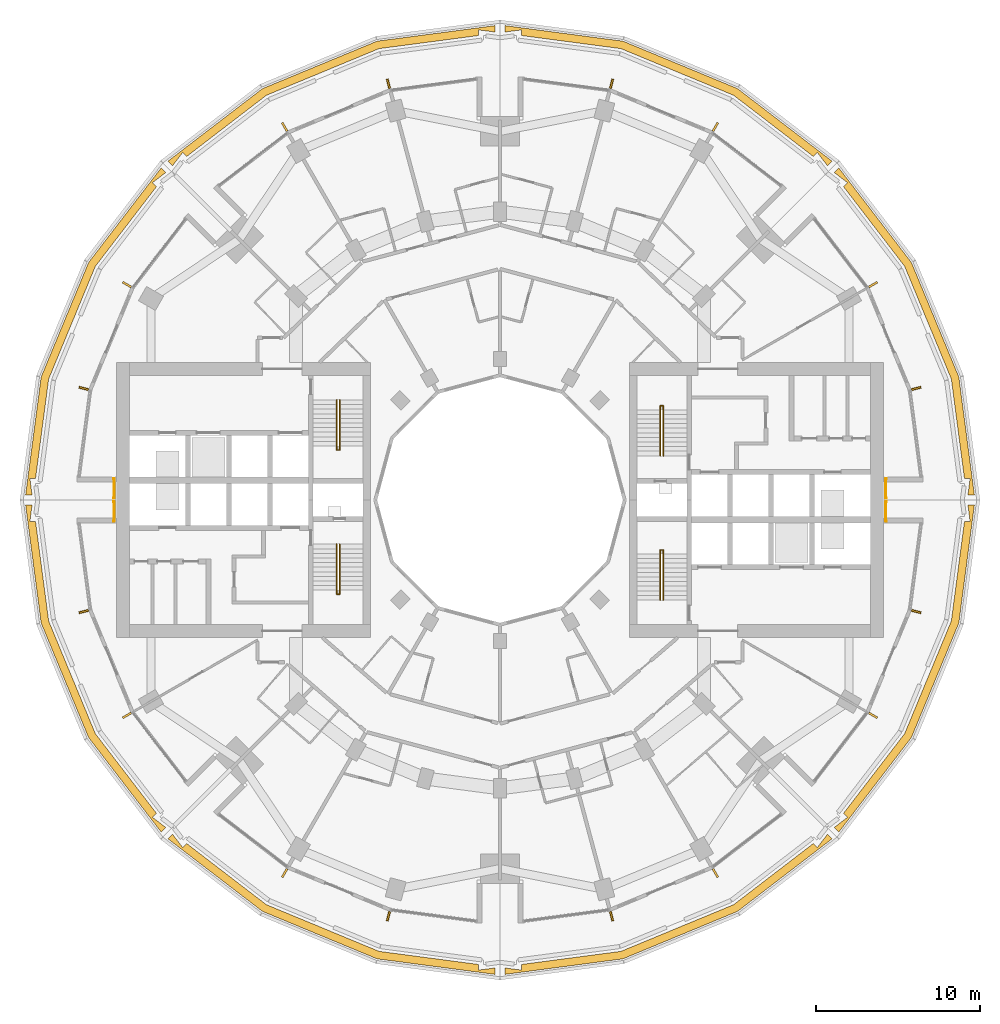
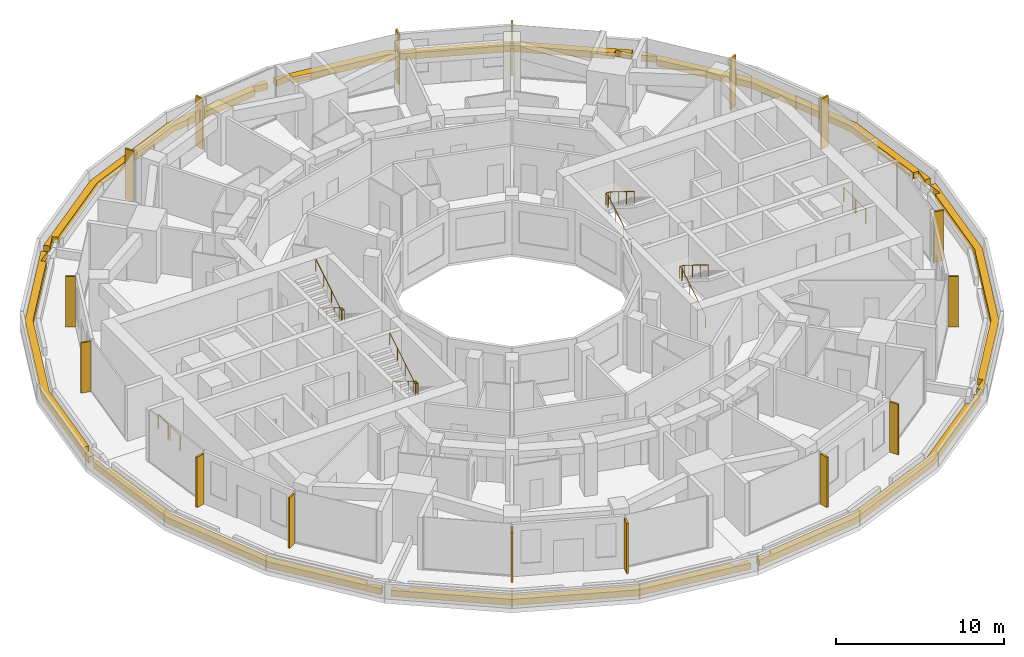
# One storey, part 18 of 19: 16 shading devices, 8 coverings, 8 railings.
"""IFC4 building model written with IfcOpenShell, lengths in metres."""

from ifc_helpers import new_model, si_unit, direction, frame, origin, origin_2d, place, context, subcontext, project, spatial, polyline, rectangle, circle, outline, extrude, material, layer, layer_set, material_profile, profile_set, type_object, element, save


model = new_model("IFC4")

# Units and contexts
model_context = context("Model", 3, precision=1e-05, world=origin(), true_north=direction((0.0, 1.0)))
body_context = subcontext(model_context, "Body", "Model", "MODEL_VIEW")
ifc_project = project(units=[si_unit("LENGTHUNIT", "METRE"), si_unit("AREAUNIT", "SQUARE_METRE"), si_unit("VOLUMEUNIT", "CUBIC_METRE"), si_unit("PLANEANGLEUNIT", "RADIAN"), si_unit("MASSUNIT", "GRAM", prefix="KILO")], contexts=[model_context])

# Site, building, storey
site_placement = place(None, origin())
site = spatial("IfcSite", under=ifc_project, at=site_placement, CompositionType="ELEMENT")
building_placement = place(site_placement, origin())
building = spatial("IfcBuilding", under=site, at=building_placement, Name="Torre Brocal", CompositionType="ELEMENT")
storey_placement = place(building_placement, frame((0.0, 0.0, 28.800048828125)))
storey = spatial("IfcBuildingStorey", under=building, at=storey_placement, Name="L05", CompositionType="ELEMENT", Elevation=28.800048828125)

# Shading devices
ifc_material_1 = material(Name="Aluminium, black anodised", Category="aluminium")
ifc_material_profile = material_profile(ifc_material_1, rectangle(XDim=0.1201171875, YDim=0.60009765625, at=origin_2d()), Name="FIN 120X600 3650 HIGH FROM FLOOR")
ifc_profile_set = profile_set([ifc_material_profile], Name="Aluminium, black anodised")
shading_device_type = type_object("IfcShadingDeviceType", Name="FIN 120X600 3650 HIGH FROM FLOOR", PredefinedType="USERDEFINED", material=ifc_profile_set)
for number, where, z_axis, x_axis, name in (
    (1, (105.396240234375, 81.804931640625, 0.0), (0.0, 0.0, 1.0), (-0.258819045103, 0.965925826289, 0.0), "FIN"),
    (2, (102.76953125, 88.14599609375, 0.0), (0.0, 0.0, 1.0), (-0.5, 0.866025403784, 0.0), "FIN"),
    (3, (93.14599609375, 97.76953125, 0.0), (0.0, 0.0, 1.0), (-0.866025403784, 0.5, 0.0), "FIN"),
    (4, (86.804931640625, 100.396240234375, 0.0), (0.0, 0.0, 1.0), (-0.965925826289, 0.258819045103, 0.0), "FIN"),
    (5, (73.195068359375, 100.396240234375, 0.0), (0.0, 0.0, 1.0), (-0.965925826289, -0.258819045103, 0.0), "FIN"),
    (6, (66.85400390625, 97.76953125, 0.0), (0.0, 0.0, 1.0), (-0.866025403784, -0.5, 0.0), "FIN"),
    (7, (57.23046875, 88.14599609375, 0.0), (0.0, 0.0, 1.0), (-0.5, -0.866025403784, 0.0), "FIN"),
    (8, (54.603759765625, 81.804931640625, 0.0), (0.0, 0.0, 1.0), (-0.258819045103, -0.965925826289, 0.0), "FIN"),
    (9, (54.603759765625, 68.195068359375, 0.0), (0.0, 0.0, 1.0), (0.258819045103, -0.965925826289, 0.0), "FIN"),
    (10, (57.23046875, 61.85400390625, 0.0), (0.0, 0.0, 1.0), (0.5, -0.866025403784, 0.0), "FIN"),
    (11, (66.85400390625, 52.23046875, 0.0), (0.0, 0.0, 1.0), (0.866025403784, -0.5, 0.0), "FIN"),
    (12, (73.195068359375, 49.603759765625, 0.0), (0.0, 0.0, 1.0), (0.965925826289, -0.258819045103, 0.0), "FIN"),
    (13, (86.804931640625, 49.603759765625, 0.0), (0.0, 0.0, 1.0), (0.965925826289, 0.258819045103, 0.0), "FIN"),
    (14, (93.14599609375, 52.23046875, 0.0), (0.0, 0.0, 1.0), (0.866025403784, 0.5, 0.0), "FIN"),
    (15, (102.76953125, 61.85400390625, 0.0), (0.0, 0.0, 1.0), (0.5, 0.866025403784, 0.0), "FIN"),
    (16, (105.396240234375, 68.195068359375, 0.0), (0.0, 0.0, 1.0), (0.258819045103, 0.965925826289, 0.0), "FIN"),
):
    element("IfcShadingDevice", number, at=place(storey_placement, frame(where, z_axis=z_axis, x_axis=x_axis)), inside=storey, type_object=shading_device_type, Name=name, ObjectType="FIN", PredefinedType="USERDEFINED", context=body_context, shape_type="SweptSolid", body=[
        extrude(rectangle(XDim=0.1201171875, YDim=0.60009765625, at=origin_2d()), origin(), (0.0, 0.0, 1.0), 3.64990234375),
    ])

# Railings
ifc_material_2 = material(Name="Steel A36", Category="steel")
railing_type_1 = type_object("IfcRailingType", Name="GUARD 1100", PredefinedType="GUARDRAIL", material=ifc_material_2)
railing_1_placement = place(storey_placement, frame((103.60009765625, 75.10009765625, 0.0)))
element("IfcRailing", 17, at=railing_1_placement, inside=storey, type_object=railing_type_1, Name="GUARD", PredefinedType="GUARDRAIL", context=body_context, shape_type="SweptSolid", body=[
    extrude(circle(Radius=0.02392578125, at=origin_2d()), frame((0.0, 0.0, 1.076171875), z_axis=(-1.0, 0.0, 0.0), x_axis=(0.0, -1.0, 0.0)), (0.0, 0.0, 1.0), 0.050048828125),
    extrude(circle(Radius=0.02392578125, at=origin_2d()), frame((-0.050048828125, 0.0, 1.076171875), z_axis=(0.0, 1.0, 0.0), x_axis=(-1.0, 0.0, 0.0)), (0.0, 0.0, 1.0), 1.199951171875),
    extrude(circle(Radius=0.02392578125, at=origin_2d()), frame((-0.050048828125, 1.199951171875, 1.076171875), z_axis=(1.0, 0.0, 0.0), x_axis=(0.0, 1.0, 0.0)), (0.0, 0.0, 1.0), 0.050048828125),
    extrude(circle(Radius=0.02099609375, at=origin_2d()), origin(), (0.0, 0.0, 1.0), 1.052001953125),
    extrude(circle(Radius=0.02099609375, at=origin_2d()), frame((-0.050048828125, 0.0, 0.0)), (0.0, 0.0, 1.0), 1.052001953125),
    extrude(circle(Radius=0.02099609375, at=origin_2d()), frame((-0.050048828125, 1.199951171875, 0.0)), (0.0, 0.0, 1.0), 1.052001953125),
    extrude(circle(Radius=0.02099609375, at=origin_2d()), frame((0.0, 1.199951171875, 0.0)), (0.0, 0.0, 1.0), 1.052001953125),
])
for number, where, name in (
    (18, (56.39990234375, 76.300048828125, 0.0), "GUARD"),
    (19, (56.39990234375, 74.89990234375, 0.0), "GUARD"),
):
    element("IfcRailing", number, at=place(storey_placement, frame(where)), inside=storey, type_object=railing_type_1, Name=name, PredefinedType="GUARDRAIL", context=body_context, shape_type="SweptSolid", body=[
        extrude(circle(Radius=0.02392578125, at=origin_2d()), frame((0.0, 0.0, 1.076171875), z_axis=(1.0, 0.0, 0.0), x_axis=(0.0, 1.0, 0.0)), (0.0, 0.0, 1.0), 0.050048828125),
        extrude(circle(Radius=0.02392578125, at=origin_2d()), frame((0.050048828125, 0.0, 1.076171875), z_axis=(0.0, -1.0, 0.0), x_axis=(1.0, 0.0, 0.0)), (0.0, 0.0, 1.0), 1.199951171875),
        extrude(circle(Radius=0.02392578125, at=origin_2d()), frame((0.050048828125, -1.199951171875, 1.076171875), z_axis=(-1.0, 0.0, 0.0), x_axis=(0.0, -1.0, 0.0)), (0.0, 0.0, 1.0), 0.050048828125),
        extrude(circle(Radius=0.02099609375, at=origin_2d()), origin(), (0.0, 0.0, 1.0), 1.052001953125),
        extrude(circle(Radius=0.02099609375, at=origin_2d()), frame((0.050048828125, 0.0, 0.0)), (0.0, 0.0, 1.0), 1.052001953125),
        extrude(circle(Radius=0.02099609375, at=origin_2d()), frame((0.050048828125, -1.199951171875, 0.0)), (0.0, 0.0, 1.0), 1.052001953125),
        extrude(circle(Radius=0.02099609375, at=origin_2d()), frame((0.0, -1.199951171875, 0.0)), (0.0, 0.0, 1.0), 1.052001953125),
    ])
railing_2_placement = place(storey_placement, frame((103.60009765625, 73.699951171875, 0.0)))
element("IfcRailing", 20, at=railing_2_placement, inside=storey, type_object=railing_type_1, Name="GUARD", PredefinedType="GUARDRAIL", context=body_context, shape_type="SweptSolid", body=[
    extrude(circle(Radius=0.02392578125, at=origin_2d()), frame((0.0, 0.0, 1.076171875), z_axis=(-1.0, 0.0, 0.0), x_axis=(0.0, -1.0, 0.0)), (0.0, 0.0, 1.0), 0.050048828125),
    extrude(circle(Radius=0.02392578125, at=origin_2d()), frame((-0.050048828125, 0.0, 1.076171875), z_axis=(0.0, 1.0, 0.0), x_axis=(-1.0, 0.0, 0.0)), (0.0, 0.0, 1.0), 1.199951171875),
    extrude(circle(Radius=0.02392578125, at=origin_2d()), frame((-0.050048828125, 1.199951171875, 1.076171875), z_axis=(1.0, 0.0, 0.0), x_axis=(0.0, 1.0, 0.0)), (0.0, 0.0, 1.0), 0.050048828125),
    extrude(circle(Radius=0.02099609375, at=origin_2d()), origin(), (0.0, 0.0, 1.0), 1.052001953125),
    extrude(circle(Radius=0.02099609375, at=origin_2d()), frame((-0.050048828125, 0.0, 0.0)), (0.0, 0.0, 1.0), 1.052001953125),
    extrude(circle(Radius=0.02099609375, at=origin_2d()), frame((-0.050048828125, 1.199951171875, 0.0)), (0.0, 0.0, 1.0), 1.052001953125),
    extrude(circle(Radius=0.02099609375, at=origin_2d()), frame((0.0, 1.199951171875, 0.0)), (0.0, 0.0, 1.0), 1.052001953125),
])

# Coverings
ifc_material_3 = material(Name="Planting soil")
ifc_layer = layer(ifc_material_3, 0.449951171875)
ifc_layer_set = layer_set([ifc_layer], Name="Planting soil")
covering_type = type_object("IfcCoveringType", Name="PLANTING SOIL 450", PredefinedType="FLOORING", material=ifc_layer_set)
covering_1_placement = place(storey_placement, origin())
element("IfcCovering", 21, at=covering_1_placement, inside=storey, type_object=covering_type, Name="PLANTING SOIL", PredefinedType="FLOORING", context=body_context, shape_type="SweptSolid", body=[
    extrude(outline(polyline([(108.956298828125, 75.300048828125), (108.56103515625, 75.300048828125), (108.692626953125, 76.300048828125), (108.350341796875, 76.300048828125), (107.5498046875, 82.3818359375), (104.700439453125, 89.2607421875), (100.966064453125, 94.12744140625), (101.2080078125, 94.36962890625), (100.407958984375, 94.983642578125), (100.687255859375, 95.262939453125), (105.111083984375, 89.497802734375), (108.007568359375, 82.504638671875), (108.956298828125, 75.300048828125)])), origin(), (0.0, 0.0, 1.0), 0.449951171875),
])
covering_2_placement = place(storey_placement, origin())
element("IfcCovering", 22, at=covering_2_placement, inside=storey, type_object=covering_type, Name="PLANTING SOIL", PredefinedType="FLOORING", context=body_context, shape_type="SweptSolid", body=[
    extrude(outline(polyline([(100.262939453125, 95.687255859375), (99.983642578125, 95.407958984375), (99.36962890625, 96.2080078125), (99.12744140625, 95.966064453125), (94.2607421875, 99.700439453125), (87.3818359375, 102.5498046875), (81.300048828125, 103.350341796875), (81.300048828125, 103.692626953125), (80.300048828125, 103.56103515625), (80.300048828125, 103.956298828125), (87.504638671875, 103.007568359375), (94.497802734375, 100.111083984375), (100.262939453125, 95.687255859375)])), origin(), (0.0, 0.0, 1.0), 0.449951171875),
])
covering_3_placement = place(storey_placement, origin())
element("IfcCovering", 23, at=covering_3_placement, inside=storey, type_object=covering_type, Name="PLANTING SOIL", PredefinedType="FLOORING", context=body_context, shape_type="SweptSolid", body=[
    extrude(outline(polyline([(59.737060546875, 95.687255859375), (65.502197265625, 100.111083984375), (72.495361328125, 103.007568359375), (79.699951171875, 103.956298828125), (79.699951171875, 103.56103515625), (78.699951171875, 103.692626953125), (78.699951171875, 103.350341796875), (72.6181640625, 102.5498046875), (65.7392578125, 99.700439453125), (60.87255859375, 95.966064453125), (60.63037109375, 96.2080078125), (60.016357421875, 95.407958984375), (59.737060546875, 95.687255859375)])), origin(), (0.0, 0.0, 1.0), 0.449951171875),
])
covering_4_placement = place(storey_placement, origin())
element("IfcCovering", 24, at=covering_4_placement, inside=storey, type_object=covering_type, Name="PLANTING SOIL", PredefinedType="FLOORING", context=body_context, shape_type="SweptSolid", body=[
    extrude(outline(polyline([(59.312744140625, 95.262939453125), (59.592041015625, 94.983642578125), (58.7919921875, 94.36962890625), (59.033935546875, 94.12744140625), (55.299560546875, 89.2607421875), (52.4501953125, 82.3818359375), (51.649658203125, 76.300048828125), (51.307373046875, 76.300048828125), (51.43896484375, 75.300048828125), (51.043701171875, 75.300048828125), (51.992431640625, 82.504638671875), (54.888916015625, 89.497802734375), (59.312744140625, 95.262939453125)])), origin(), (0.0, 0.0, 1.0), 0.449951171875),
])
covering_5_placement = place(storey_placement, origin())
element("IfcCovering", 25, at=covering_5_placement, inside=storey, type_object=covering_type, Name="PLANTING SOIL", PredefinedType="FLOORING", context=body_context, shape_type="SweptSolid", body=[
    extrude(outline(polyline([(51.043701171875, 74.699951171875), (51.43896484375, 74.699951171875), (51.307373046875, 73.699951171875), (51.649658203125, 73.699951171875), (52.4501953125, 67.6181640625), (55.299560546875, 60.7392578125), (59.033935546875, 55.87255859375), (58.7919921875, 55.63037109375), (59.592041015625, 55.016357421875), (59.312744140625, 54.737060546875), (54.888916015625, 60.502197265625), (51.992431640625, 67.495361328125), (51.043701171875, 74.699951171875)])), origin(), (0.0, 0.0, 1.0), 0.449951171875),
])
covering_6_placement = place(storey_placement, origin())
element("IfcCovering", 26, at=covering_6_placement, inside=storey, type_object=covering_type, Name="PLANTING SOIL", PredefinedType="FLOORING", context=body_context, shape_type="SweptSolid", body=[
    extrude(outline(polyline([(60.63037109375, 53.7919921875), (60.87255859375, 54.033935546875), (65.7392578125, 50.299560546875), (72.6181640625, 47.4501953125), (78.699951171875, 46.649658203125), (78.699951171875, 46.307373046875), (79.699951171875, 46.43896484375), (79.699951171875, 46.043701171875), (72.495361328125, 46.992431640625), (65.502197265625, 49.888916015625), (59.737060546875, 54.312744140625), (60.016357421875, 54.592041015625), (60.63037109375, 53.7919921875)])), origin(), (0.0, 0.0, 1.0), 0.449951171875),
])
covering_7_placement = place(storey_placement, origin())
element("IfcCovering", 27, at=covering_7_placement, inside=storey, type_object=covering_type, Name="PLANTING SOIL", PredefinedType="FLOORING", context=body_context, shape_type="SweptSolid", body=[
    extrude(outline(polyline([(80.300048828125, 46.043701171875), (80.300048828125, 46.43896484375), (81.300048828125, 46.307373046875), (81.300048828125, 46.649658203125), (87.3818359375, 47.4501953125), (94.2607421875, 50.299560546875), (99.12744140625, 54.033935546875), (99.36962890625, 53.7919921875), (99.983642578125, 54.592041015625), (100.262939453125, 54.312744140625), (94.497802734375, 49.888916015625), (87.504638671875, 46.992431640625), (80.300048828125, 46.043701171875)])), origin(), (0.0, 0.0, 1.0), 0.449951171875),
])
covering_8_placement = place(storey_placement, origin())
element("IfcCovering", 28, at=covering_8_placement, inside=storey, type_object=covering_type, Name="PLANTING SOIL", PredefinedType="FLOORING", context=body_context, shape_type="SweptSolid", body=[
    extrude(outline(polyline([(101.2080078125, 55.63037109375), (100.966064453125, 55.87255859375), (104.700439453125, 60.7392578125), (107.5498046875, 67.6181640625), (108.350341796875, 73.699951171875), (108.692626953125, 73.699951171875), (108.56103515625, 74.699951171875), (108.956298828125, 74.699951171875), (108.007568359375, 67.495361328125), (105.111083984375, 60.502197265625), (100.687255859375, 54.737060546875), (100.407958984375, 55.016357421875), (101.2080078125, 55.63037109375)])), origin(), (0.0, 0.0, 1.0), 0.449951171875),
])

# Railings
ifc_material_4 = material(Name="Stainless steel AISI 316", Category="steel")
railing_type_2 = type_object("IfcRailingType", Name="STAIR HANDRAIL", PredefinedType="HANDRAIL", material=ifc_material_4)
railing_3_placement = place(storey_placement, frame((89.780029296875, 77.699951171875, 0.172607421875)))
element("IfcRailing", 29, at=railing_3_placement, inside=storey, type_object=railing_type_2, Name="HANDRAIL ST1", PredefinedType="HANDRAIL", context=body_context, shape_type="SweptSolid", body=[
    extrude(circle(Radius=0.02392578125, at=origin_2d()), frame((0.0, 0.0, 0.8759765625), z_axis=(0.0, 0.851089632645, 0.525020415988), x_axis=(-1.0, 0.0, 0.0)), (0.0, 0.0, 1.0), 3.2900390625),
    extrude(circle(Radius=0.02392578125, at=origin_2d()), frame((0.0, 2.800048828125, 2.60302734375), z_axis=(0.0, 1.0, 0.0), x_axis=(-1.0, 0.0, 0.0)), (0.0, 0.0, 1.0), 0.25),
    extrude(circle(Radius=0.02392578125, at=origin_2d()), frame((0.0, 3.050048828125, 2.60302734375), z_axis=(1.0, 0.0, 0.0), x_axis=(0.0, 1.0, 0.0)), (0.0, 0.0, 1.0), 0.18994140625),
    extrude(circle(Radius=0.02392578125, at=origin_2d()), frame((0.18994140625, 3.050048828125, 2.60302734375), z_axis=(0.0, -0.82253904752, 0.568708638324), x_axis=(1.0, 0.0, 0.0)), (0.0, 0.0, 1.0), 0.303955078125),
    extrude(circle(Radius=0.02392578125, at=origin_2d()), frame((0.18994140625, 2.800048828125, 2.77587890625), z_axis=(0.0, -0.851089632645, 0.525020415988), x_axis=(1.0, 0.0, 0.0)), (0.0, 0.0, 1.0), 3.2900390625),
    extrude(circle(Radius=0.02099609375, at=origin_2d()), origin(), (0.0, 0.0, 1.0), 0.851806640625),
    extrude(circle(Radius=0.02099609375, at=origin_2d()), frame((0.0, 0.933349609375, 0.57568359375)), (0.0, 0.0, 1.0), 0.851806640625),
    extrude(circle(Radius=0.02099609375, at=origin_2d()), frame((0.0, 1.86669921875, 1.151611328125)), (0.0, 0.0, 1.0), 0.851806640625),
    extrude(circle(Radius=0.02099609375, at=origin_2d()), frame((0.0, 2.800048828125, 1.727294921875)), (0.0, 0.0, 1.0), 0.851806640625),
    extrude(circle(Radius=0.02099609375, at=origin_2d()), frame((0.0, 3.050048828125, 1.727294921875)), (0.0, 0.0, 1.0), 0.851806640625),
    extrude(circle(Radius=0.02099609375, at=origin_2d()), frame((0.18994140625, 3.050048828125, 1.727294921875)), (0.0, 0.0, 1.0), 0.851806640625),
    extrude(circle(Radius=0.02099609375, at=origin_2d()), frame((0.18994140625, 2.800048828125, 1.900146484375)), (0.0, 0.0, 1.0), 0.851806640625),
    extrude(circle(Radius=0.02099609375, at=origin_2d()), frame((0.18994140625, 1.86669921875, 2.475830078125)), (0.0, 0.0, 1.0), 0.851806640625),
    extrude(circle(Radius=0.02099609375, at=origin_2d()), frame((0.18994140625, 0.933349609375, 3.0517578125)), (0.0, 0.0, 1.0), 0.851806640625),
    extrude(circle(Radius=0.02099609375, at=origin_2d()), frame((0.18994140625, 0.0, 3.62744140625)), (0.0, 0.0, 1.0), 0.851806640625),
])
railing_4_placement = place(storey_placement, frame((89.780029296875, 68.89990234375, 0.172607421875)))
element("IfcRailing", 30, at=railing_4_placement, inside=storey, type_object=railing_type_2, Name="HANDRAIL ST2", PredefinedType="HANDRAIL", context=body_context, shape_type="SweptSolid", body=[
    extrude(circle(Radius=0.02392578125, at=origin_2d()), frame((0.0, 0.0, 0.8759765625), z_axis=(0.0, 0.851089632645, 0.525020415988), x_axis=(-1.0, 0.0, 0.0)), (0.0, 0.0, 1.0), 3.2900390625),
    extrude(circle(Radius=0.02392578125, at=origin_2d()), frame((0.0, 2.800048828125, 2.60302734375), z_axis=(0.0, 1.0, 0.0), x_axis=(-1.0, 0.0, 0.0)), (0.0, 0.0, 1.0), 0.25),
    extrude(circle(Radius=0.02392578125, at=origin_2d()), frame((0.0, 3.050048828125, 2.60302734375), z_axis=(1.0, 0.0, 0.0), x_axis=(0.0, 1.0, 0.0)), (0.0, 0.0, 1.0), 0.18994140625),
    extrude(circle(Radius=0.02392578125, at=origin_2d()), frame((0.18994140625, 3.050048828125, 2.60302734375), z_axis=(0.0, -0.82253904752, 0.568708638324), x_axis=(1.0, 0.0, 0.0)), (0.0, 0.0, 1.0), 0.303955078125),
    extrude(circle(Radius=0.02392578125, at=origin_2d()), frame((0.18994140625, 2.800048828125, 2.77587890625), z_axis=(0.0, -0.851089632645, 0.525020415988), x_axis=(1.0, 0.0, 0.0)), (0.0, 0.0, 1.0), 3.2900390625),
    extrude(circle(Radius=0.02099609375, at=origin_2d()), origin(), (0.0, 0.0, 1.0), 0.851806640625),
    extrude(circle(Radius=0.02099609375, at=origin_2d()), frame((0.0, 0.933349609375, 0.57568359375)), (0.0, 0.0, 1.0), 0.851806640625),
    extrude(circle(Radius=0.02099609375, at=origin_2d()), frame((0.0, 1.86669921875, 1.151611328125)), (0.0, 0.0, 1.0), 0.851806640625),
    extrude(circle(Radius=0.02099609375, at=origin_2d()), frame((0.0, 2.800048828125, 1.727294921875)), (0.0, 0.0, 1.0), 0.851806640625),
    extrude(circle(Radius=0.02099609375, at=origin_2d()), frame((0.0, 3.050048828125, 1.727294921875)), (0.0, 0.0, 1.0), 0.851806640625),
    extrude(circle(Radius=0.02099609375, at=origin_2d()), frame((0.18994140625, 3.050048828125, 1.727294921875)), (0.0, 0.0, 1.0), 0.851806640625),
    extrude(circle(Radius=0.02099609375, at=origin_2d()), frame((0.18994140625, 2.800048828125, 1.900146484375)), (0.0, 0.0, 1.0), 0.851806640625),
    extrude(circle(Radius=0.02099609375, at=origin_2d()), frame((0.18994140625, 1.86669921875, 2.475830078125)), (0.0, 0.0, 1.0), 0.851806640625),
    extrude(circle(Radius=0.02099609375, at=origin_2d()), frame((0.18994140625, 0.933349609375, 3.0517578125)), (0.0, 0.0, 1.0), 0.851806640625),
    extrude(circle(Radius=0.02099609375, at=origin_2d()), frame((0.18994140625, 0.0, 3.62744140625)), (0.0, 0.0, 1.0), 0.851806640625),
])
railing_5_placement = place(storey_placement, frame((70.219970703125, 72.300048828125, 0.172607421875)))
element("IfcRailing", 31, at=railing_5_placement, inside=storey, type_object=railing_type_2, Name="HANDRAIL ST3", PredefinedType="HANDRAIL", context=body_context, shape_type="SweptSolid", body=[
    extrude(circle(Radius=0.02392578125, at=origin_2d()), frame((0.0, 0.0, 0.8759765625), z_axis=(0.0, -0.851089632645, 0.525020415988), x_axis=(1.0, 0.0, 0.0)), (0.0, 0.0, 1.0), 3.2900390625),
    extrude(circle(Radius=0.02392578125, at=origin_2d()), frame((0.0, -2.800048828125, 2.60302734375), z_axis=(0.0, -1.0, 0.0), x_axis=(1.0, 0.0, 0.0)), (0.0, 0.0, 1.0), 0.25),
    extrude(circle(Radius=0.02392578125, at=origin_2d()), frame((0.0, -3.050048828125, 2.60302734375), z_axis=(-1.0, 0.0, 0.0), x_axis=(0.0, -1.0, 0.0)), (0.0, 0.0, 1.0), 0.18994140625),
    extrude(circle(Radius=0.02392578125, at=origin_2d()), frame((-0.18994140625, -3.050048828125, 2.60302734375), z_axis=(0.0, 0.82253904752, 0.568708638324), x_axis=(-1.0, 0.0, 0.0)), (0.0, 0.0, 1.0), 0.303955078125),
    extrude(circle(Radius=0.02392578125, at=origin_2d()), frame((-0.18994140625, -2.800048828125, 2.77587890625), z_axis=(0.0, 0.851089632645, 0.525020415988), x_axis=(-1.0, 0.0, 0.0)), (0.0, 0.0, 1.0), 3.2900390625),
    extrude(circle(Radius=0.02099609375, at=origin_2d()), origin(), (0.0, 0.0, 1.0), 0.851806640625),
    extrude(circle(Radius=0.02099609375, at=origin_2d()), frame((0.0, -0.933349609375, 0.57568359375)), (0.0, 0.0, 1.0), 0.851806640625),
    extrude(circle(Radius=0.02099609375, at=origin_2d()), frame((0.0, -1.86669921875, 1.151611328125)), (0.0, 0.0, 1.0), 0.851806640625),
    extrude(circle(Radius=0.02099609375, at=origin_2d()), frame((0.0, -2.800048828125, 1.727294921875)), (0.0, 0.0, 1.0), 0.851806640625),
    extrude(circle(Radius=0.02099609375, at=origin_2d()), frame((0.0, -3.050048828125, 1.727294921875)), (0.0, 0.0, 1.0), 0.851806640625),
    extrude(circle(Radius=0.02099609375, at=origin_2d()), frame((-0.18994140625, -3.050048828125, 1.727294921875)), (0.0, 0.0, 1.0), 0.851806640625),
    extrude(circle(Radius=0.02099609375, at=origin_2d()), frame((-0.18994140625, -2.800048828125, 1.900146484375)), (0.0, 0.0, 1.0), 0.851806640625),
    extrude(circle(Radius=0.02099609375, at=origin_2d()), frame((-0.18994140625, -1.86669921875, 2.475830078125)), (0.0, 0.0, 1.0), 0.851806640625),
    extrude(circle(Radius=0.02099609375, at=origin_2d()), frame((-0.18994140625, -0.933349609375, 3.0517578125)), (0.0, 0.0, 1.0), 0.851806640625),
    extrude(circle(Radius=0.02099609375, at=origin_2d()), frame((-0.18994140625, 0.0, 3.62744140625)), (0.0, 0.0, 1.0), 0.851806640625),
])
railing_6_placement = place(storey_placement, frame((70.219970703125, 81.10009765625, 0.172607421875)))
element("IfcRailing", 32, at=railing_6_placement, inside=storey, type_object=railing_type_2, Name="HANDRAIL ST4", PredefinedType="HANDRAIL", context=body_context, shape_type="SweptSolid", body=[
    extrude(circle(Radius=0.02392578125, at=origin_2d()), frame((0.0, 0.0, 0.8759765625), z_axis=(0.0, -0.851089632645, 0.525020415988), x_axis=(1.0, 0.0, 0.0)), (0.0, 0.0, 1.0), 3.2900390625),
    extrude(circle(Radius=0.02392578125, at=origin_2d()), frame((0.0, -2.800048828125, 2.60302734375), z_axis=(0.0, -1.0, 0.0), x_axis=(1.0, 0.0, 0.0)), (0.0, 0.0, 1.0), 0.25),
    extrude(circle(Radius=0.02392578125, at=origin_2d()), frame((0.0, -3.050048828125, 2.60302734375), z_axis=(-1.0, 0.0, 0.0), x_axis=(0.0, -1.0, 0.0)), (0.0, 0.0, 1.0), 0.18994140625),
    extrude(circle(Radius=0.02392578125, at=origin_2d()), frame((-0.18994140625, -3.050048828125, 2.60302734375), z_axis=(0.0, 0.82253904752, 0.568708638324), x_axis=(-1.0, 0.0, 0.0)), (0.0, 0.0, 1.0), 0.303955078125),
    extrude(circle(Radius=0.02392578125, at=origin_2d()), frame((-0.18994140625, -2.800048828125, 2.77587890625), z_axis=(0.0, 0.851089632645, 0.525020415988), x_axis=(-1.0, 0.0, 0.0)), (0.0, 0.0, 1.0), 3.2900390625),
    extrude(circle(Radius=0.02099609375, at=origin_2d()), origin(), (0.0, 0.0, 1.0), 0.851806640625),
    extrude(circle(Radius=0.02099609375, at=origin_2d()), frame((0.0, -0.933349609375, 0.57568359375)), (0.0, 0.0, 1.0), 0.851806640625),
    extrude(circle(Radius=0.02099609375, at=origin_2d()), frame((0.0, -1.86669921875, 1.151611328125)), (0.0, 0.0, 1.0), 0.851806640625),
    extrude(circle(Radius=0.02099609375, at=origin_2d()), frame((0.0, -2.800048828125, 1.727294921875)), (0.0, 0.0, 1.0), 0.851806640625),
    extrude(circle(Radius=0.02099609375, at=origin_2d()), frame((0.0, -3.050048828125, 1.727294921875)), (0.0, 0.0, 1.0), 0.851806640625),
    extrude(circle(Radius=0.02099609375, at=origin_2d()), frame((-0.18994140625, -3.050048828125, 1.727294921875)), (0.0, 0.0, 1.0), 0.851806640625),
    extrude(circle(Radius=0.02099609375, at=origin_2d()), frame((-0.18994140625, -2.800048828125, 1.900146484375)), (0.0, 0.0, 1.0), 0.851806640625),
    extrude(circle(Radius=0.02099609375, at=origin_2d()), frame((-0.18994140625, -1.86669921875, 2.475830078125)), (0.0, 0.0, 1.0), 0.851806640625),
    extrude(circle(Radius=0.02099609375, at=origin_2d()), frame((-0.18994140625, -0.933349609375, 3.0517578125)), (0.0, 0.0, 1.0), 0.851806640625),
    extrude(circle(Radius=0.02099609375, at=origin_2d()), frame((-0.18994140625, 0.0, 3.62744140625)), (0.0, 0.0, 1.0), 0.851806640625),
])

save(model, "model.ifc")
